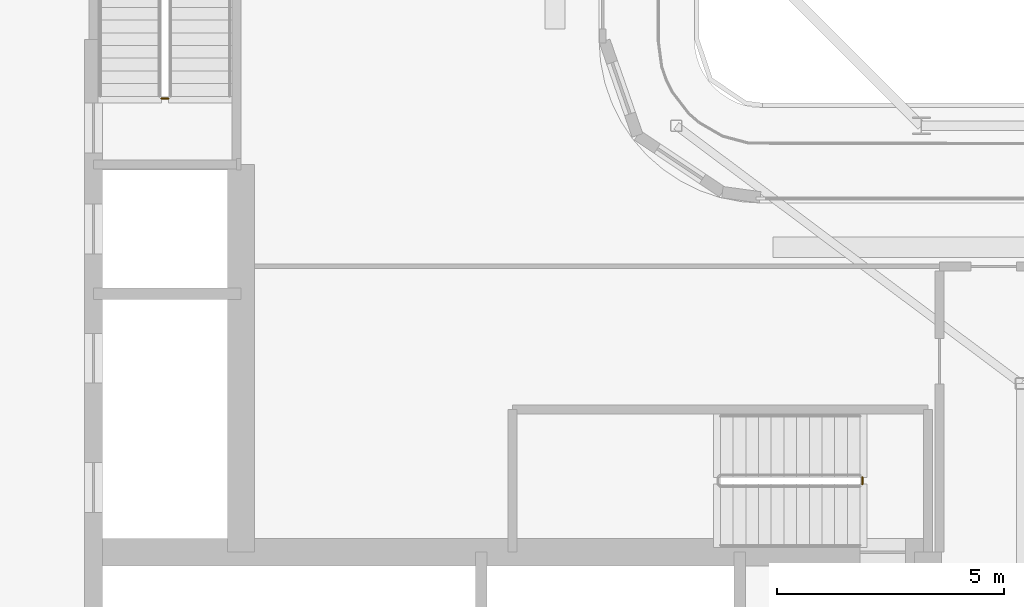
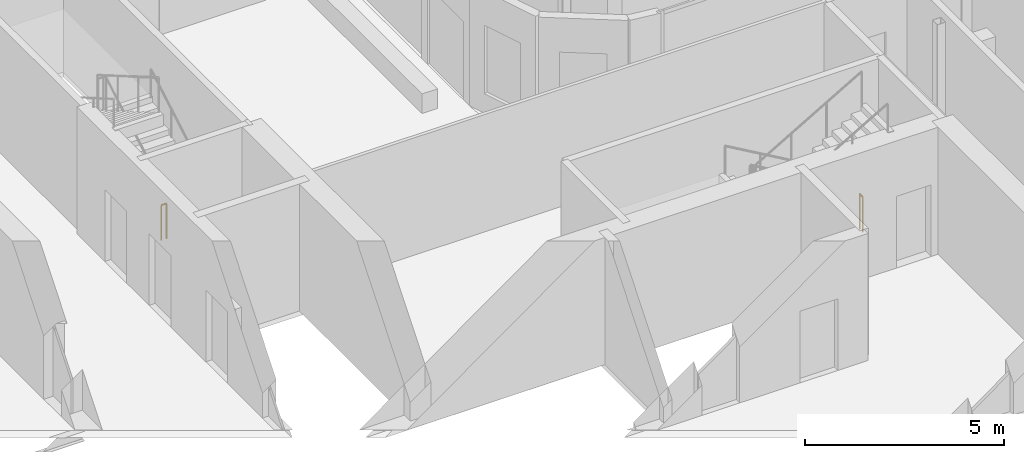
# One storey, part 17 of 21: 2 railings.
"""IFC4 building model written with IfcOpenShell, lengths in metres."""

import ifcopenshell
import ifcopenshell.guid

model = None  # the IFC model being written
_history = None  # IfcOwnerHistory: only IFC2X3 demands one
_inside = {}  # id of a spatial element -> (the spatial element, [elements in it])
_under = {}  # id of a project, library or spatial element -> (it, [spatial elements below it])
_declared = {}  # id of a project -> (the project, [libraries it declares])
_typed = {}  # id of a type object -> (the type object, [elements of that type])
_made_of = {}  # id of a material, layer set ... -> (it, [elements and type objects made of it])


def new_model(schema):
    """Start an empty IFC model of exactly this schema.

    Asked for "IFC4X3", IfcOpenShell would pick the latest addendum, in which some entities
    have other attributes; the version numbers below select the first issue.
    IFC2X3 requires an IfcOwnerHistory on every rooted entity: one is made here for all.
    """
    global model, _history
    if schema == "IFC4X3":
        model = ifcopenshell.file(schema_version=(4, 3, 0, 0))
    else:
        model = ifcopenshell.file(schema=schema)
    _inside.clear()
    _under.clear()
    _declared.clear()
    _typed.clear()
    _made_of.clear()
    _history = None
    if model.schema == "IFC2X3":
        org = make("IfcOrganization", Name="unknown")
        user = make(
            "IfcPersonAndOrganization",
            ThePerson=make("IfcPerson", FamilyName="unknown"),
            TheOrganization=org,
        )
        app = make(
            "IfcApplication",
            ApplicationDeveloper=org,
            Version="unknown",
            ApplicationFullName="unknown",
            ApplicationIdentifier="unknown",
        )
        _history = make(
            "IfcOwnerHistory",
            OwningUser=user,
            OwningApplication=app,
            ChangeAction="ADDED",
            CreationDate=0,
        )
    return model


def make(cls, **values):
    """One entity of the class cls with the attributes given. An attribute that is None is left unset."""
    return model.create_entity(
        cls, **{name: value for name, value in values.items() if value is not None}
    )


def rooted(cls, **values):
    """An entity with a GlobalId (a new one), such as an element, a storey or a relation."""
    return make(cls, GlobalId=ifcopenshell.guid.new(), OwnerHistory=_history, **values)


def si_unit(unit_type, name, prefix=None):
    """IfcSIUnit, for example si_unit("LENGTHUNIT", "METRE", prefix="MILLI")."""
    return make("IfcSIUnit", UnitType=unit_type, Prefix=prefix, Name=name)


def assignment(units):
    """IfcUnitAssignment: the units of a project."""
    return None if units is None else make("IfcUnitAssignment", Units=units)


def point(xyz):
    """IfcCartesianPoint."""
    return None if xyz is None else make("IfcCartesianPoint", Coordinates=xyz)


def direction(xyz):
    """IfcDirection."""
    return None if xyz is None else make("IfcDirection", DirectionRatios=xyz)


def frame(location, z_axis=None, x_axis=None):
    """IfcAxis2Placement3D, a coordinate frame: its origin and axes. An axis left out is left unset."""
    return make(
        "IfcAxis2Placement3D",
        Location=point(location),
        Axis=direction(z_axis),
        RefDirection=direction(x_axis),
    )


def frame_2d(location, x_axis=None):
    """IfcAxis2Placement2D, a coordinate frame in the plane: its origin and x axis."""
    return make(
        "IfcAxis2Placement2D", Location=point(location), RefDirection=direction(x_axis)
    )


def origin():
    """The frame at (0, 0, 0) with its axes left unset."""
    return frame((0.0, 0.0, 0.0))


def origin_2d():
    """The frame at (0, 0) in the plane with its x axis left unset."""
    return frame_2d((0.0, 0.0))


def place(relative_to, where):
    """IfcLocalPlacement: puts the frame where relative to a parent placement (None: the world)."""
    return make(
        "IfcLocalPlacement", PlacementRelTo=relative_to, RelativePlacement=where
    )


def context(
    kind, dimensions, precision=None, world=None, true_north=None, identifier=None
):
    """IfcGeometricRepresentationContext, for example the 3D "Model" context."""
    return make(
        "IfcGeometricRepresentationContext",
        ContextIdentifier=identifier,
        ContextType=kind,
        CoordinateSpaceDimension=dimensions,
        Precision=precision,
        WorldCoordinateSystem=world,
        TrueNorth=true_north,
    )


def subcontext(parent, identifier, kind, view, scale=None):
    """IfcGeometricRepresentationSubContext, for example "Body" below "Model"."""
    return make(
        "IfcGeometricRepresentationSubContext",
        ContextIdentifier=identifier,
        ContextType=kind,
        ParentContext=parent,
        TargetScale=scale,
        TargetView=view,
    )


def project(units=None, contexts=None):
    """IfcProject with its units and contexts."""
    return rooted(
        "IfcProject",
        Name="project",
        RepresentationContexts=contexts,
        UnitsInContext=assignment(units),
    )


def spatial(cls, under=None, at=None, **own):
    """A site, building, storey or space (cls), placed at a placement, below another one or the project."""
    s = rooted(cls, ObjectPlacement=at, **own)
    if under is not None:
        _under.setdefault(under.id(), (under, []))[1].append(s)
    return s


def profile(cls, at=None, kind="AREA", **sizes):
    """A parametric profile (cls). Its sizes go by their IFC names, for example OverallWidth=200.0."""
    return make(cls, ProfileType=kind, Position=at, **sizes)


def circle(**sizes):
    """IfcCircleProfileDef."""
    return profile("IfcCircleProfileDef", **sizes)


def extrude(swept, where, along, depth):
    """IfcExtrudedAreaSolid: the profile swept, set in the frame where, extruded along a direction by depth."""
    return make(
        "IfcExtrudedAreaSolid",
        SweptArea=swept,
        Position=where,
        ExtrudedDirection=direction(along),
        Depth=depth,
    )


def shape(context_of_items, identifier, shape_type, items):
    """IfcShapeRepresentation: the items that make up one representation, for example the "Body"."""
    return make(
        "IfcShapeRepresentation",
        ContextOfItems=context_of_items,
        RepresentationIdentifier=identifier,
        RepresentationType=shape_type,
        Items=items,
    )


def material(Name=None, Category=None):
    """IfcMaterial."""
    return make("IfcMaterial", Name=Name, Category=Category)


def made_of(thing, what):
    """Note that an element or type object is made of a material, layer set ...; save() writes the relation."""
    if what is not None:
        _made_of.setdefault(what.id(), (what, []))[1].append(thing)
    return thing


def type_object(cls, material=None, **own):
    """A type object (cls), such as IfcWallType, which elements share."""
    return made_of(rooted(cls, **own), material)


def element(
    cls,
    number,
    at=None,
    inside=None,
    cuts=None,
    type_object=None,
    material=None,
    context=None,
    identifier="Body",
    shape_type=None,
    held_by="IfcProductDefinitionShape",
    body=None,
    shapes=None,
    **own,
):
    """One element of the class cls, such as IfcWall. Its Tag is "e" and its number.

    at: its placement. inside: the storey or other place that contains it. cuts: it is an
    opening in that element (IfcRelVoidsElement). A single representation is given by context,
    identifier, shape_type and body (its items); several are given by shapes. held_by: the class
    of the entity that holds the representations. save() writes the other relations.
    """
    e = rooted(cls, Tag="e%d" % number, ObjectPlacement=at, **own)
    if body is not None:
        shapes = [shape(context, identifier, shape_type, body)]
    if shapes is not None:
        e.Representation = make(held_by, Representations=shapes)
    if inside is not None:
        _inside.setdefault(inside.id(), (inside, []))[1].append(e)
    if cuts is not None:
        rooted(
            "IfcRelVoidsElement", RelatingBuildingElement=cuts, RelatedOpeningElement=e
        )
    if type_object is not None:
        _typed.setdefault(type_object.id(), (type_object, []))[1].append(e)
    return made_of(e, material)


def aggregate(whole, parts):
    """IfcRelAggregates: a whole, such as a stair, and the parts it consists of."""
    return rooted("IfcRelAggregates", RelatingObject=whole, RelatedObjects=parts)


def save(model, path):
    """Write the relations noted so far, then the file.

    IfcRelAggregates (storeys below a building ...), IfcRelContainedInSpatialStructure (elements
    in a storey), IfcRelDefinesByType, IfcRelAssociatesMaterial and IfcRelDeclares: one each for
    every whole, place, type object, material and project.
    """
    for whole, parts in _under.values():
        aggregate(whole, parts)
    for where, things in _inside.values():
        rooted(
            "IfcRelContainedInSpatialStructure",
            RelatedElements=things,
            RelatingStructure=where,
        )
    for kind, things in _typed.values():
        rooted("IfcRelDefinesByType", RelatedObjects=things, RelatingType=kind)
    for what, things in _made_of.values():
        rooted("IfcRelAssociatesMaterial", RelatedObjects=things, RelatingMaterial=what)
    for by, libraries in _declared.values():
        rooted("IfcRelDeclares", RelatingContext=by, RelatedDefinitions=libraries)
    model.write(path)


model = new_model("IFC4")

# Units and contexts
model_context = context("Model", 3, precision=1e-05, world=origin(), true_north=direction((0.0, 1.0)))
body_context = subcontext(model_context, "Body", "Model", "MODEL_VIEW")
ifc_project = project(units=[si_unit("LENGTHUNIT", "METRE"), si_unit("AREAUNIT", "SQUARE_METRE"), si_unit("VOLUMEUNIT", "CUBIC_METRE"), si_unit("PLANEANGLEUNIT", "RADIAN"), si_unit("MASSUNIT", "GRAM", prefix="KILO")], contexts=[model_context])

# Site, building, storey
site_placement = place(None, origin())
site = spatial("IfcSite", under=ifc_project, at=site_placement, CompositionType="ELEMENT")
building_placement = place(site_placement, origin())
building = spatial("IfcBuilding", under=site, at=building_placement, Name="Kheshtan School and Residences Tower", CompositionType="ELEMENT")
storey_placement = place(building_placement, frame((0.0, 0.0, 313.699951171875)))
storey = spatial("IfcBuildingStorey", under=building, at=storey_placement, Name="L74", CompositionType="ELEMENT", Elevation=313.699951171875)

# Railings
ifc_material = material(Name="Stainless steel balustrade", Category="steel")
railing_type = type_object("IfcRailingType", Name="Stair guard 1100", PredefinedType="GUARDRAIL", material=ifc_material)
railing_1_placement = place(storey_placement, frame((51.699951171875, 37.85009765625, 0.0)))
element("IfcRailing", 1, at=railing_1_placement, inside=storey, type_object=railing_type, Name="L74 ST1 stair guard 2", PredefinedType="GUARDRAIL", context=body_context, shape_type="SweptSolid", body=[
    extrude(circle(Radius=0.02392578125, at=origin_2d()), frame((0.0, 0.0, 1.076171875), z_axis=(0.0, -1.0, 0.0), x_axis=(1.0, 0.0, 0.0)), (0.0, 0.0, 1.0), 0.150146484375),
    extrude(circle(Radius=0.02099609375, at=origin_2d()), origin(), (0.0, 0.0, 1.0), 1.052001953125),
    extrude(circle(Radius=0.02099609375, at=origin_2d()), frame((0.0, -0.150146484375, 0.0)), (0.0, 0.0, 1.0), 1.052001953125),
])
railing_2_placement = place(storey_placement, frame((36.39990234375, 46.199951171875, 0.0)))
element("IfcRailing", 2, at=railing_2_placement, inside=storey, type_object=railing_type, Name="L74 ST2 stair guard 2", PredefinedType="GUARDRAIL", context=body_context, shape_type="SweptSolid", body=[
    extrude(circle(Radius=0.02392578125, at=origin_2d()), frame((0.0, 0.0, 1.076171875), z_axis=(-1.0, 0.0, 0.0), x_axis=(0.0, -1.0, 0.0)), (0.0, 0.0, 1.0), 0.14990234375),
    extrude(circle(Radius=0.02099609375, at=origin_2d()), origin(), (0.0, 0.0, 1.0), 1.052001953125),
    extrude(circle(Radius=0.02099609375, at=origin_2d()), frame((-0.14990234375, 0.0, 0.0)), (0.0, 0.0, 1.0), 1.052001953125),
])

save(model, "model.ifc")
